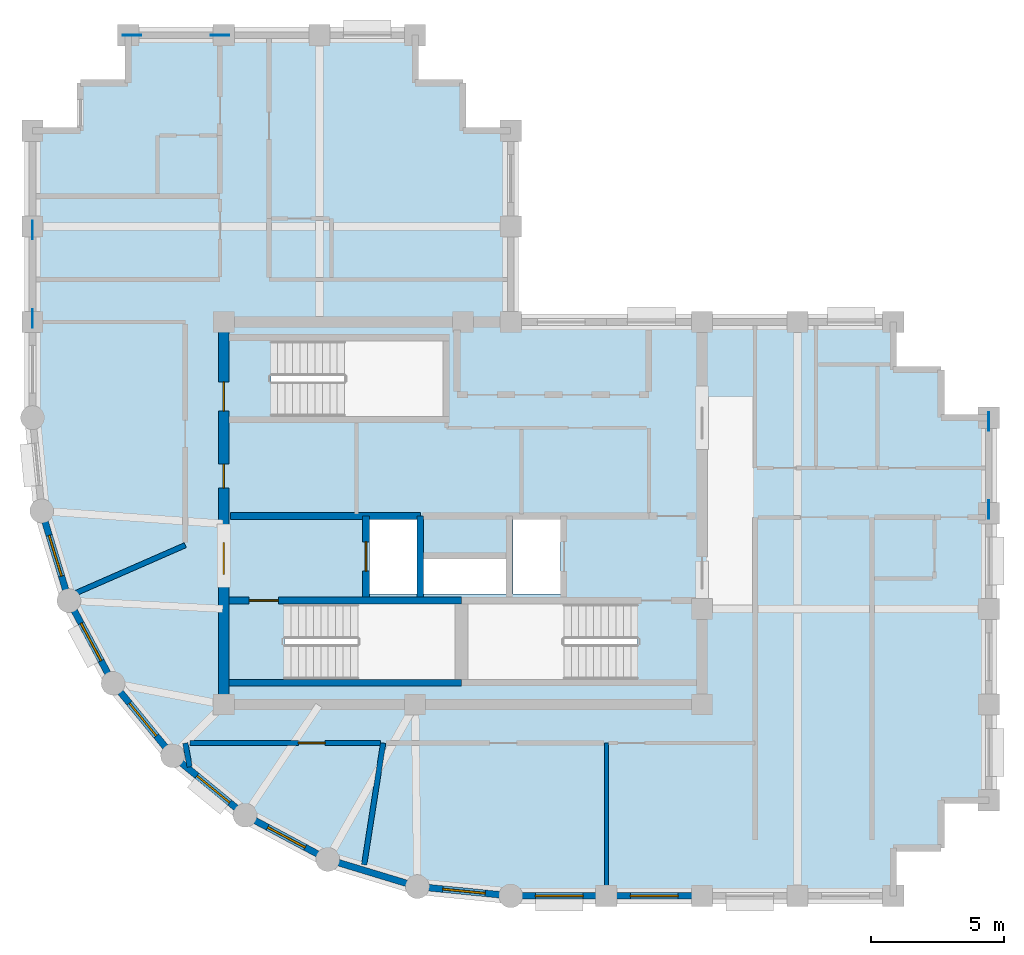
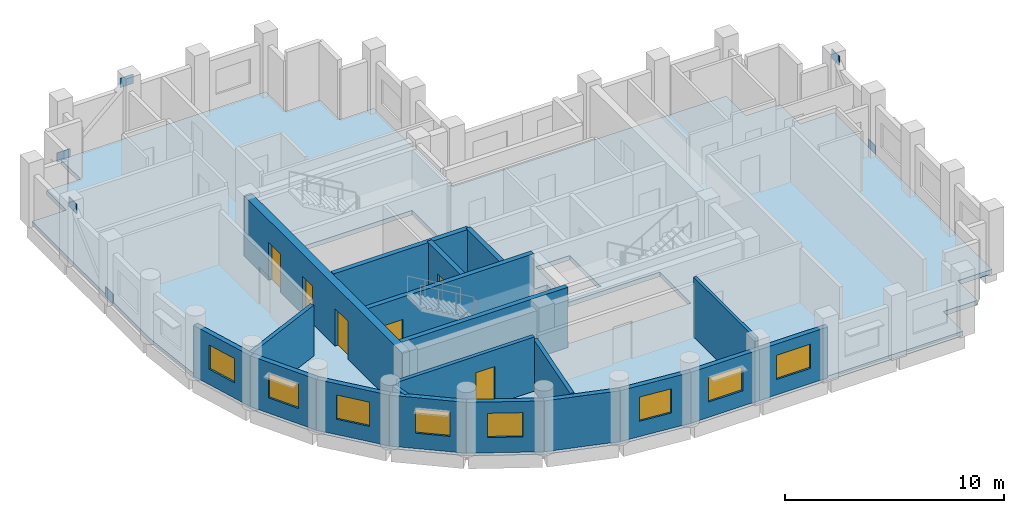
# One storey, part 2 of 7: 20 walls, 8 windows, 6 doors, 6 plates, 1 slab, 14 openings.
"""IFC4 building model written with IfcOpenShell, lengths in metres."""

from ifc_helpers import new_model, si_unit, direction, frame, frame_2d, origin, origin_2d, place, context, subcontext, project, spatial, polyline, rectangle, outline, extrude, material, layer, layer_set, type_object, element, fill, save


model = new_model("IFC4")

# Units and contexts
model_context = context("Model", 3, precision=1e-05, world=origin(), true_north=direction((0.0, 1.0)))
body_context = subcontext(model_context, "Body", "Model", "MODEL_VIEW")
ifc_project = project(units=[si_unit("LENGTHUNIT", "METRE"), si_unit("AREAUNIT", "SQUARE_METRE"), si_unit("VOLUMEUNIT", "CUBIC_METRE"), si_unit("PLANEANGLEUNIT", "RADIAN"), si_unit("MASSUNIT", "GRAM", prefix="KILO")], contexts=[model_context])

# Site, building, storey
site_placement = place(None, origin())
site = spatial("IfcSite", under=ifc_project, at=site_placement, CompositionType="ELEMENT")
building_placement = place(site_placement, origin())
building = spatial("IfcBuilding", under=site, at=building_placement, Name="Solnavia Interchange Tower", CompositionType="ELEMENT")
storey_placement = place(building_placement, frame((0.0, 0.0, 242.60009765625)))
storey = spatial("IfcBuildingStorey", under=building, at=storey_placement, Name="L61", CompositionType="ELEMENT", Elevation=242.60009765625)

# Plates
ifc_material_1 = material(Name="Steel S460", Category="steel")
ifc_layer_1 = layer(ifc_material_1, 0.030029296875)
ifc_layer_set_1 = layer_set([ifc_layer_1], Name="Steel S460")
plate_type = type_object("IfcPlateType", Name="Plate-Gusset-700x520x30", PredefinedType="USERDEFINED", material=ifc_layer_set_1)
for number, where, z_axis, x_axis, name in (
    (1, (7.199951171875, 25.340087890625, -0.080078125), (0.0, 0.0, 1.0), (0.0, 1.0, 0.0), "PLT-L61-GP01 Perimeter brace gusset plate"),
    (2, (7.199951171875, 28.659912109375, 2.909912109375), (0.0, 0.0, 1.0), (0.0, 1.0, 0.0), "PLT-L61-GP02 Perimeter brace gusset plate"),
    (3, (43.199951171875, 18.139892578125, -0.080078125), (0.0, 0.0, 1.0), (0.0, 1.0, 0.0), "PLT-L61-GP03 Perimeter brace gusset plate"),
    (4, (43.199951171875, 21.4599609375, 2.909912109375), (0.0, 0.0, 1.0), (0.0, 1.0, 0.0), "PLT-L61-GP04 Perimeter brace gusset plate"),
    (5, (10.93994140625, 36.0, -0.080078125), (0.0, 0.0, 1.0), (1.0, 0.0, 0.0), "PLT-L61-GP05 Perimeter brace gusset plate"),
    (6, (14.260009765625, 36.0, 2.909912109375), (0.0, 0.0, 1.0), (1.0, 0.0, 0.0), "PLT-L61-GP06 Perimeter brace gusset plate"),
):
    element("IfcPlate", number, at=place(storey_placement, frame(where, z_axis=z_axis, x_axis=x_axis)), inside=storey, type_object=plate_type, Name=name, ObjectType="GUSSET PLATE", PredefinedType="USERDEFINED", context=body_context, shape_type="SweptSolid", body=[
        extrude(rectangle(XDim=0.699951171875, YDim=0.030029296875, at=origin_2d()), origin(), (0.0, 0.0, 1.0), 0.52001953125),
    ])

# Slab
ifc_material_2 = material(Name="Concrete C40/50", Category="concrete")
ifc_layer_2 = layer(ifc_material_2, 0.25)
ifc_layer_set_2 = layer_set([ifc_layer_2], Name="Concrete C40/50")
slab_type = type_object("IfcSlabType", Name="Slab-Tower-250", PredefinedType="FLOOR", material=ifc_layer_set_2)
slab_placement = place(storey_placement, frame((0.0, 0.0, -0.25)))
element("IfcSlab", 7, at=slab_placement, inside=storey, type_object=slab_type, Name="SLB-L61-01 Structural floor slab", PredefinedType="FLOOR", context=body_context, shape_type="SweptSolid", body=[
    extrude(outline(polyline([(25.199951171875, 3.60009765625), (39.60009765625, 3.60009765625), (39.60009765625, 5.39990234375), (41.39990234375, 5.39990234375), (41.39990234375, 7.199951171875), (43.199951171875, 7.199951171875), (43.199951171875, 21.60009765625), (41.39990234375, 21.60009765625), (41.39990234375, 23.39990234375), (39.60009765625, 23.39990234375), (39.60009765625, 25.199951171875), (25.199951171875, 25.199951171875), (25.199951171875, 32.39990234375), (23.39990234375, 32.39990234375), (23.39990234375, 34.199951171875), (21.60009765625, 34.199951171875), (21.60009765625, 36.0), (10.800048828125, 36.0), (10.800048828125, 34.199951171875), (9.0, 34.199951171875), (9.0, 32.39990234375), (7.199951171875, 32.39990234375), (7.199951171875, 21.60009765625), (7.5458984375, 18.087890625), (8.570068359375, 14.7119140625), (10.23388671875, 11.60009765625), (12.471923828125, 8.8720703125), (15.199951171875, 6.634033203125), (18.31201171875, 4.969970703125), (21.68798828125, 3.946044921875), (25.199951171875, 3.60009765625)]), holes=[polyline([(16.675048828125, 11.75), (23.10009765625, 11.75), (23.10009765625, 14.590087890625), (16.675048828125, 14.590087890625), (16.675048828125, 11.75)]), polyline([(23.60009765625, 11.75), (29.97509765625, 11.75), (29.97509765625, 14.590087890625), (23.60009765625, 14.590087890625), (23.60009765625, 11.75)]), polyline([(16.175048828125, 21.64990234375), (22.64990234375, 21.64990234375), (22.64990234375, 24.489990234375), (16.175048828125, 24.489990234375), (16.175048828125, 21.64990234375)]), polyline([(19.8798828125, 14.9599609375), (21.679931640625, 14.9599609375), (21.679931640625, 17.780029296875), (19.8798828125, 17.780029296875), (19.8798828125, 14.9599609375)]), polyline([(25.280029296875, 14.9599609375), (27.080078125, 14.9599609375), (27.080078125, 17.780029296875), (25.280029296875, 17.780029296875), (25.280029296875, 14.9599609375)]), polyline([(21.919921875, 14.9599609375), (25.02001953125, 14.9599609375), (25.02001953125, 16.280029296875), (21.919921875, 16.280029296875), (21.919921875, 14.9599609375)])]), origin(), (0.0, 0.0, 1.0), 0.25),
])

# Walls
ifc_material_3 = material(Name="Gypsum Acoustic Twin-Stud & Mineral Wool", Category="gypsum")
ifc_layer_3 = layer(ifc_material_3, 0.199951171875)
ifc_layer_set_3 = layer_set([ifc_layer_3], Name="Gypsum Acoustic Twin-Stud & Mineral Wool")
wall_type_1 = type_object("IfcWallType", Name="Wall-ApartmentParty-200", PredefinedType="PARTITIONING", material=ifc_layer_set_3)
wall_1_placement = place(storey_placement, frame((12.949951171875, 16.800048828125, 0.0), z_axis=(0.0, 0.0, 1.0), x_axis=(-0.916090997314, -0.400970428635, 0.0)))
element("IfcWall", 8, at=wall_1_placement, inside=storey, type_object=wall_type_1, Name="PTW-L61-09 Interior partition wall", PredefinedType="PARTITIONING", context=body_context, shape_type="SweptSolid", body=[
    extrude(rectangle(XDim=4.73095703125, YDim=0.199951171875, at=frame_2d((2.365478515625, 0.0))), origin(), (0.0, 0.0, 1.0), 2.829833984375),
])
wall_2_placement = place(storey_placement, frame((12.949951171875, 9.35009765625, 0.0), z_axis=(0.0, 0.0, 1.0), x_axis=(0.179827308786, -0.983698195086, 0.0)))
element("IfcWall", 9, at=wall_2_placement, inside=storey, type_object=wall_type_1, Name="PTW-L61-10 Interior partition wall", PredefinedType="PARTITIONING", context=body_context, shape_type="SweptSolid", body=[
    extrude(rectangle(XDim=0.912353515625, YDim=0.199951171875, at=frame_2d((0.4560546875, 0.0))), origin(), (0.0, 0.0, 1.0), 2.829833984375),
])
wall_3_placement = place(storey_placement, frame((20.39990234375, 9.35009765625, 0.0), z_axis=(0.0, 0.0, 1.0), x_axis=(-0.154564772307, -0.987982657318, 0.0)))
element("IfcWall", 10, at=wall_3_placement, inside=storey, type_object=wall_type_1, Name="PTW-L61-11 Interior partition wall", PredefinedType="PARTITIONING", context=body_context, shape_type="SweptSolid", body=[
    extrude(rectangle(XDim=4.637451171875, YDim=0.199951171875, at=frame_2d((2.31884765625, 0.0))), origin(), (0.0, 0.0, 1.0), 2.829833984375),
])

# Wall, opening, door
wall_4_placement = place(storey_placement, frame((13.133056640625, 9.35009765625, 0.0), z_axis=(0.0, 0.0, 1.0), x_axis=(1.0, 0.0, 0.0)))
wall_4 = element("IfcWall", 11, at=wall_4_placement, inside=storey, type_object=wall_type_1, Name="PTW-L61-14 Interior partition wall", PredefinedType="PARTITIONING", context=body_context, shape_type="SweptSolid", body=[
    extrude(rectangle(XDim=7.162841796875, YDim=0.199951171875, at=frame_2d((3.58154296875, 0.0))), origin(), (0.0, 0.0, 1.0), 3.02001953125),
])
opening_1_placement = place(wall_4_placement, frame((4.077880859375, 0.0, 0.0)))
opening_1 = element("IfcOpeningElement", 12, at=opening_1_placement, cuts=wall_4, Name="Opening DR-07", PredefinedType="OPENING", context=body_context, shape_type="SweptSolid", body=[
    extrude(rectangle(XDim=1.0, YDim=2.10009765625, at=frame_2d((0.5, 1.050048828125))), frame((0.0, 0.10986328125, 0.0), z_axis=(0.0, -1.0, 0.0), x_axis=(1.0, 0.0, 0.0)), (0.0, 0.0, 1.0), 0.219970703125),
])
ifc_material_4 = material(Name="Timber & Acoustic Glazed Office Door", Category="wood")
door_type_1 = type_object("IfcDoorType", Name="Door-Office-1000x2100", OperationType="SINGLE_SWING_RIGHT", PredefinedType="DOOR", material=ifc_material_4)
door_1_placement = place(opening_1_placement, origin())
door_1 = element("IfcDoor", 13, at=door_1_placement, inside=storey, type_object=door_type_1, Name="DR-L61-05 Interior room door", OperationType="SINGLE_SWING_LEFT", OverallHeight=2.10009765625, OverallWidth=1.0, PredefinedType="DOOR", context=body_context, shape_type="SweptSolid", body=[
    extrude(rectangle(XDim=1.0, YDim=2.10009765625, at=frame_2d((0.5, 1.050048828125))), frame((0.0, 0.02490234375, 0.0), z_axis=(0.0, -1.0, 0.0), x_axis=(1.0, 0.0, 0.0)), (0.0, 0.0, 1.0), 0.050048828125),
])
fill(opening_1, door_1)

# Wall, opening, window
ifc_layer_4 = layer(ifc_material_2, 0.25)
ifc_layer_set_4 = layer_set([ifc_layer_4], Name="Concrete C40/50")
wall_type_2 = type_object("IfcWallType", Name="Wall-ExtSpandrel-250", PredefinedType="STANDARD", material=ifc_layer_set_4)
wall_5_placement = place(storey_placement, frame((28.800048828125, 3.60009765625, 0.0), z_axis=(0.0, 0.0, 1.0), x_axis=(-1.0, 0.0, 0.0)))
wall_5 = element("IfcWall", 14, at=wall_5_placement, inside=storey, type_object=wall_type_2, Name="EXW-L61-01 Exterior precast spandrel wall", PredefinedType="STANDARD", context=body_context, shape_type="SweptSolid", body=[
    extrude(rectangle(XDim=3.60009765625, YDim=0.25, at=frame_2d((1.800048828125, 0.0))), origin(), (0.0, 0.0, 1.0), 2.829833984375),
])
opening_2_placement = place(wall_5_placement, frame((0.875, 0.0, 0.85009765625)))
opening_2 = element("IfcOpeningElement", 15, at=opening_2_placement, cuts=wall_5, Name="Opening WIN-02", PredefinedType="OPENING", context=body_context, shape_type="SweptSolid", body=[
    extrude(rectangle(XDim=1.800048828125, YDim=1.35009765625, at=frame_2d((0.89990234375, 0.675048828125))), frame((0.0, 0.135009765625, 0.0), z_axis=(0.0, -1.0, 0.0), x_axis=(1.0, 0.0, 0.0)), (0.0, 0.0, 1.0), 0.27001953125),
])
ifc_material_5 = material(Name="Thermal-Break Aluminium & Low-E Glass", Category="aluminium")
window_type_1 = type_object("IfcWindowType", Name="Window-Ribbon-1800x1350", PartitioningType="SINGLE_PANEL", PredefinedType="WINDOW", material=ifc_material_5)
window_1_placement = place(opening_2_placement, origin())
window_1 = element("IfcWindow", 16, at=window_1_placement, inside=storey, type_object=window_type_1, Name="WIN-L61-01 Facade ribbon window", OverallHeight=1.35009765625, OverallWidth=1.800048828125, PartitioningType="SINGLE_PANEL", PredefinedType="WINDOW", context=body_context, shape_type="SweptSolid", body=[
    extrude(rectangle(XDim=1.800048828125, YDim=1.35009765625, at=frame_2d((0.89990234375, 0.675048828125))), frame((0.0, 0.030029296875, 0.0), z_axis=(0.0, -1.0, 0.0), x_axis=(1.0, 0.0, 0.0)), (0.0, 0.0, 1.0), 0.06005859375),
])
fill(opening_2, window_1)

wall_6_placement = place(storey_placement, frame((32.39990234375, 3.60009765625, 0.0), z_axis=(0.0, 0.0, 1.0), x_axis=(-1.0, 0.0, 0.0)))
wall_6 = element("IfcWall", 17, at=wall_6_placement, inside=storey, type_object=wall_type_2, Name="EXW-L61-02 Exterior precast spandrel wall", PredefinedType="STANDARD", context=body_context, shape_type="SweptSolid", body=[
    extrude(rectangle(XDim=3.599853515625, YDim=0.25, at=frame_2d((1.7998046875, 0.0))), origin(), (0.0, 0.0, 1.0), 2.829833984375),
])
opening_3_placement = place(wall_6_placement, frame((0.89990234375, 0.0, 0.85009765625)))
opening_3 = element("IfcOpeningElement", 18, at=opening_3_placement, cuts=wall_6, Name="Opening WIN-02", PredefinedType="OPENING", context=body_context, shape_type="SweptSolid", body=[
    extrude(rectangle(XDim=1.800048828125, YDim=1.35009765625, at=frame_2d((0.89990234375, 0.675048828125))), frame((0.0, 0.135009765625, 0.0), z_axis=(0.0, -1.0, 0.0), x_axis=(1.0, 0.0, 0.0)), (0.0, 0.0, 1.0), 0.27001953125),
])
window_2_placement = place(opening_3_placement, origin())
window_2 = element("IfcWindow", 19, at=window_2_placement, inside=storey, type_object=window_type_1, Name="WIN-L61-02 Facade ribbon window", OverallHeight=1.35009765625, OverallWidth=1.800048828125, PartitioningType="SINGLE_PANEL", PredefinedType="WINDOW", context=body_context, shape_type="SweptSolid", body=[
    extrude(rectangle(XDim=1.800048828125, YDim=1.35009765625, at=frame_2d((0.89990234375, 0.675048828125))), frame((0.0, 0.030029296875, 0.0), z_axis=(0.0, -1.0, 0.0), x_axis=(1.0, 0.0, 0.0)), (0.0, 0.0, 1.0), 0.06005859375),
])
fill(opening_3, window_2)

wall_7_placement = place(storey_placement, frame((8.570068359375, 14.7119140625, 0.0), z_axis=(0.0, 0.0, 1.0), x_axis=(-0.290305086481, 0.956934144423, 0.0)))
wall_7 = element("IfcWall", 20, at=wall_7_placement, inside=storey, type_object=wall_type_2, Name="EXW-L61-38 Exterior precast spandrel wall", PredefinedType="STANDARD", context=body_context, shape_type="SweptSolid", body=[
    extrude(rectangle(XDim=3.52783203125, YDim=0.25, at=frame_2d((1.763916015625, 0.0))), origin(), (0.0, 0.0, 1.0), 2.829833984375),
])
opening_4_placement = place(wall_7_placement, frame((0.964111328125, 0.0, 0.85009765625)))
opening_4 = element("IfcOpeningElement", 21, at=opening_4_placement, cuts=wall_7, Name="Opening WIN-04", PredefinedType="OPENING", context=body_context, shape_type="SweptSolid", body=[
    extrude(rectangle(XDim=1.60009765625, YDim=1.35009765625, at=frame_2d((0.800048828125, 0.675048828125))), frame((0.0, 0.135009765625, 0.0), z_axis=(0.0, -1.0, 0.0), x_axis=(1.0, 0.0, 0.0)), (0.0, 0.0, 1.0), 0.27001953125),
])
window_type_2 = type_object("IfcWindowType", Name="Window-Drum-1600x1350", PartitioningType="SINGLE_PANEL", PredefinedType="WINDOW", material=ifc_material_5)
window_3_placement = place(opening_4_placement, origin())
window_3 = element("IfcWindow", 22, at=window_3_placement, inside=storey, type_object=window_type_2, Name="WIN-L61-38 Facade ribbon window", OverallHeight=1.35009765625, OverallWidth=1.60009765625, PartitioningType="SINGLE_PANEL", PredefinedType="WINDOW", context=body_context, shape_type="SweptSolid", body=[
    extrude(rectangle(XDim=1.60009765625, YDim=1.35009765625, at=frame_2d((0.800048828125, 0.675048828125))), frame((0.0, 0.030029296875, 0.0), z_axis=(0.0, -1.0, 0.0), x_axis=(1.0, 0.0, 0.0)), (0.0, 0.0, 1.0), 0.06005859375),
])
fill(opening_4, window_3)

wall_8_placement = place(storey_placement, frame((10.23388671875, 11.60009765625, 0.0), z_axis=(0.0, 0.0, 1.0), x_axis=(-0.47151087309, 0.881860247748, 0.0)))
wall_8 = element("IfcWall", 23, at=wall_8_placement, inside=storey, type_object=wall_type_2, Name="EXW-L61-39 Exterior precast spandrel wall", PredefinedType="STANDARD", context=body_context, shape_type="SweptSolid", body=[
    extrude(rectangle(XDim=3.52880859375, YDim=0.25, at=frame_2d((1.764404296875, 0.0))), origin(), (0.0, 0.0, 1.0), 2.829833984375),
])
opening_5_placement = place(wall_8_placement, frame((0.964111328125, 0.0, 0.85009765625)))
opening_5 = element("IfcOpeningElement", 24, at=opening_5_placement, cuts=wall_8, Name="Opening WIN-04", PredefinedType="OPENING", context=body_context, shape_type="SweptSolid", body=[
    extrude(rectangle(XDim=1.60009765625, YDim=1.35009765625, at=frame_2d((0.800048828125, 0.675048828125))), frame((0.0, 0.135009765625, 0.0), z_axis=(0.0, -1.0, 0.0), x_axis=(1.0, 0.0, 0.0)), (0.0, 0.0, 1.0), 0.27001953125),
])
window_4_placement = place(opening_5_placement, origin())
window_4 = element("IfcWindow", 25, at=window_4_placement, inside=storey, type_object=window_type_2, Name="WIN-L61-39 Facade ribbon window", OverallHeight=1.35009765625, OverallWidth=1.60009765625, PartitioningType="SINGLE_PANEL", PredefinedType="WINDOW", context=body_context, shape_type="SweptSolid", body=[
    extrude(rectangle(XDim=1.60009765625, YDim=1.35009765625, at=frame_2d((0.800048828125, 0.675048828125))), frame((0.0, 0.030029296875, 0.0), z_axis=(0.0, -1.0, 0.0), x_axis=(1.0, 0.0, 0.0)), (0.0, 0.0, 1.0), 0.06005859375),
])
fill(opening_5, window_4)

wall_9_placement = place(storey_placement, frame((12.471923828125, 8.8720703125, 0.0), z_axis=(0.0, 0.0, 1.0), x_axis=(-0.634258295121, 0.773121216285, 0.0)))
wall_9 = element("IfcWall", 26, at=wall_9_placement, inside=storey, type_object=wall_type_2, Name="EXW-L61-40 Exterior precast spandrel wall", PredefinedType="STANDARD", context=body_context, shape_type="SweptSolid", body=[
    extrude(rectangle(XDim=3.528564453125, YDim=0.25, at=frame_2d((1.76416015625, 0.0))), origin(), (0.0, 0.0, 1.0), 2.829833984375),
])
opening_6_placement = place(wall_9_placement, frame((0.964111328125, 0.0, 0.85009765625)))
opening_6 = element("IfcOpeningElement", 27, at=opening_6_placement, cuts=wall_9, Name="Opening WIN-04", PredefinedType="OPENING", context=body_context, shape_type="SweptSolid", body=[
    extrude(rectangle(XDim=1.60009765625, YDim=1.35009765625, at=frame_2d((0.800048828125, 0.675048828125))), frame((0.0, 0.135009765625, 0.0), z_axis=(0.0, -1.0, 0.0), x_axis=(1.0, 0.0, 0.0)), (0.0, 0.0, 1.0), 0.27001953125),
])
window_5_placement = place(opening_6_placement, origin())
window_5 = element("IfcWindow", 28, at=window_5_placement, inside=storey, type_object=window_type_2, Name="WIN-L61-40 Facade ribbon window", OverallHeight=1.35009765625, OverallWidth=1.60009765625, PartitioningType="SINGLE_PANEL", PredefinedType="WINDOW", context=body_context, shape_type="SweptSolid", body=[
    extrude(rectangle(XDim=1.60009765625, YDim=1.35009765625, at=frame_2d((0.800048828125, 0.675048828125))), frame((0.0, 0.030029296875, 0.0), z_axis=(0.0, -1.0, 0.0), x_axis=(1.0, 0.0, 0.0)), (0.0, 0.0, 1.0), 0.06005859375),
])
fill(opening_6, window_5)

wall_10_placement = place(storey_placement, frame((15.199951171875, 6.634033203125, 0.0), z_axis=(0.0, 0.0, 1.0), x_axis=(-0.773121216285, 0.634258295121, 0.0)))
wall_10 = element("IfcWall", 29, at=wall_10_placement, inside=storey, type_object=wall_type_2, Name="EXW-L61-41 Exterior precast spandrel wall", PredefinedType="STANDARD", context=body_context, shape_type="SweptSolid", body=[
    extrude(rectangle(XDim=3.528564453125, YDim=0.25, at=frame_2d((1.76416015625, 0.0))), origin(), (0.0, 0.0, 1.0), 2.829833984375),
])
opening_7_placement = place(wall_10_placement, frame((0.743896484375, 0.0, 0.85009765625)))
opening_7 = element("IfcOpeningElement", 30, at=opening_7_placement, cuts=wall_10, Name="Opening WIN-04", PredefinedType="OPENING", context=body_context, shape_type="SweptSolid", body=[
    extrude(rectangle(XDim=1.60009765625, YDim=1.35009765625, at=frame_2d((0.800048828125, 0.675048828125))), frame((0.0, 0.135009765625, 0.0), z_axis=(0.0, -1.0, 0.0), x_axis=(1.0, 0.0, 0.0)), (0.0, 0.0, 1.0), 0.27001953125),
])
window_6_placement = place(opening_7_placement, origin())
window_6 = element("IfcWindow", 31, at=window_6_placement, inside=storey, type_object=window_type_2, Name="WIN-L61-41 Facade ribbon window", OverallHeight=1.35009765625, OverallWidth=1.60009765625, PartitioningType="SINGLE_PANEL", PredefinedType="WINDOW", context=body_context, shape_type="SweptSolid", body=[
    extrude(rectangle(XDim=1.60009765625, YDim=1.35009765625, at=frame_2d((0.800048828125, 0.675048828125))), frame((0.0, 0.030029296875, 0.0), z_axis=(0.0, -1.0, 0.0), x_axis=(1.0, 0.0, 0.0)), (0.0, 0.0, 1.0), 0.06005859375),
])
fill(opening_7, window_6)

wall_11_placement = place(storey_placement, frame((18.31201171875, 4.969970703125, 0.0), z_axis=(0.0, 0.0, 1.0), x_axis=(-0.881846862014, 0.471535907389, 0.0)))
wall_11 = element("IfcWall", 32, at=wall_11_placement, inside=storey, type_object=wall_type_2, Name="EXW-L61-42 Exterior precast spandrel wall", PredefinedType="STANDARD", context=body_context, shape_type="SweptSolid", body=[
    extrude(rectangle(XDim=3.529052734375, YDim=0.25, at=frame_2d((1.7646484375, 0.0))), origin(), (0.0, 0.0, 1.0), 2.829833984375),
])
opening_8_placement = place(wall_11_placement, frame((0.964111328125, 0.0, 0.85009765625)))
opening_8 = element("IfcOpeningElement", 33, at=opening_8_placement, cuts=wall_11, Name="Opening WIN-04", PredefinedType="OPENING", context=body_context, shape_type="SweptSolid", body=[
    extrude(rectangle(XDim=1.60009765625, YDim=1.35009765625, at=frame_2d((0.800048828125, 0.675048828125))), frame((0.0, 0.135009765625, 0.0), z_axis=(0.0, -1.0, 0.0), x_axis=(1.0, 0.0, 0.0)), (0.0, 0.0, 1.0), 0.27001953125),
])
window_7_placement = place(opening_8_placement, origin())
window_7 = element("IfcWindow", 34, at=window_7_placement, inside=storey, type_object=window_type_2, Name="WIN-L61-42 Facade ribbon window", OverallHeight=1.35009765625, OverallWidth=1.60009765625, PartitioningType="SINGLE_PANEL", PredefinedType="WINDOW", context=body_context, shape_type="SweptSolid", body=[
    extrude(rectangle(XDim=1.60009765625, YDim=1.35009765625, at=frame_2d((0.800048828125, 0.675048828125))), frame((0.0, 0.030029296875, 0.0), z_axis=(0.0, -1.0, 0.0), x_axis=(1.0, 0.0, 0.0)), (0.0, 0.0, 1.0), 0.06005859375),
])
fill(opening_8, window_7)

# Wall
wall_12_placement = place(storey_placement, frame((21.68798828125, 3.946044921875, 0.0), z_axis=(0.0, 0.0, 1.0), x_axis=(-0.956953367403, 0.290241714123, 0.0)))
element("IfcWall", 35, at=wall_12_placement, inside=storey, type_object=wall_type_2, Name="EXW-L61-43 Exterior precast spandrel wall", PredefinedType="STANDARD", context=body_context, shape_type="SweptSolid", body=[
    extrude(rectangle(XDim=3.52783203125, YDim=0.25, at=frame_2d((1.763916015625, 0.0))), origin(), (0.0, 0.0, 1.0), 2.829833984375),
])

# Wall, opening, window
wall_13_placement = place(storey_placement, frame((25.199951171875, 3.60009765625, 0.0), z_axis=(0.0, 0.0, 1.0), x_axis=(-0.995183369056, 0.098030923459, 0.0)))
wall_13 = element("IfcWall", 36, at=wall_13_placement, inside=storey, type_object=wall_type_2, Name="EXW-L61-44 Exterior precast spandrel wall", PredefinedType="STANDARD", context=body_context, shape_type="SweptSolid", body=[
    extrude(rectangle(XDim=3.529052734375, YDim=0.25, at=frame_2d((1.7646484375, 0.0))), origin(), (0.0, 0.0, 1.0), 2.829833984375),
])
opening_9_placement = place(wall_13_placement, frame((0.965087890625, 0.0, 0.85009765625)))
opening_9 = element("IfcOpeningElement", 37, at=opening_9_placement, cuts=wall_13, Name="Opening WIN-04", PredefinedType="OPENING", context=body_context, shape_type="SweptSolid", body=[
    extrude(rectangle(XDim=1.60009765625, YDim=1.35009765625, at=frame_2d((0.800048828125, 0.675048828125))), frame((0.0, 0.135009765625, 0.0), z_axis=(0.0, -1.0, 0.0), x_axis=(1.0, 0.0, 0.0)), (0.0, 0.0, 1.0), 0.27001953125),
])
window_8_placement = place(opening_9_placement, origin())
window_8 = element("IfcWindow", 38, at=window_8_placement, inside=storey, type_object=window_type_2, Name="WIN-L61-44 Facade ribbon window", OverallHeight=1.35009765625, OverallWidth=1.60009765625, PartitioningType="SINGLE_PANEL", PredefinedType="WINDOW", context=body_context, shape_type="SweptSolid", body=[
    extrude(rectangle(XDim=1.60009765625, YDim=1.35009765625, at=frame_2d((0.800048828125, 0.675048828125))), frame((0.0, 0.030029296875, 0.0), z_axis=(0.0, -1.0, 0.0), x_axis=(1.0, 0.0, 0.0)), (0.0, 0.0, 1.0), 0.06005859375),
])
fill(opening_9, window_8)

# Walls
ifc_material_6 = material(Name="Gypsum Plasterboard & Steel Stud", Category="steel")
ifc_layer_5 = layer(ifc_material_6, 0.14990234375)
ifc_layer_set_5 = layer_set([ifc_layer_5], Name="Gypsum Plasterboard & Steel Stud")
wall_type_3 = type_object("IfcWallType", Name="Wall-Partition-150", PredefinedType="PARTITIONING", material=ifc_layer_set_5)
wall_14_placement = place(storey_placement, frame((28.800048828125, 9.35009765625, 0.0), z_axis=(0.0, 0.0, 1.0), x_axis=(0.0, -1.0, 0.0)))
element("IfcWall", 39, at=wall_14_placement, inside=storey, type_object=wall_type_3, Name="PTW-L61-08 Interior partition wall", PredefinedType="PARTITIONING", context=body_context, shape_type="SweptSolid", body=[
    extrude(rectangle(XDim=5.62109375, YDim=0.14990234375, at=frame_2d((2.810546875, 0.0))), origin(), (0.0, 0.0, 1.0), 3.3349609375),
])
ifc_layer_6 = layer(ifc_material_2, 0.25)
ifc_layer_set_6 = layer_set([ifc_layer_6], Name="Concrete C40/50")
wall_type_4 = type_object("IfcWallType", Name="Wall-ShaftCore-250", PredefinedType="SHEAR", material=ifc_layer_set_6)
wall_15_placement = place(storey_placement, frame((14.60009765625, 11.625, 0.0), z_axis=(0.0, 0.0, 1.0), x_axis=(1.0, 0.0, 0.0)))
element("IfcWall", 40, at=wall_15_placement, inside=storey, type_object=wall_type_4, Name="SHW-L61-ST1S Core shear wall", PredefinedType="SHEAR", context=body_context, shape_type="SweptSolid", body=[
    extrude(rectangle(XDim=8.75, YDim=0.25, at=frame_2d((4.375, 0.0))), origin(), (0.0, 0.0, 1.0), 3.349853515625),
])

# Wall, opening, door
wall_16_placement = place(storey_placement, frame((14.60009765625, 14.715087890625, 0.0), z_axis=(0.0, 0.0, 1.0), x_axis=(1.0, 0.0, 0.0)))
wall_16 = element("IfcWall", 41, at=wall_16_placement, inside=storey, type_object=wall_type_4, Name="SHW-L61-ST1N Core shear wall", PredefinedType="SHEAR", context=body_context, shape_type="SweptSolid", body=[
    extrude(rectangle(XDim=8.75, YDim=0.25, at=frame_2d((4.375, 0.0))), origin(), (0.0, 0.0, 1.0), 3.349853515625),
])
opening_10_placement = place(wall_16_placement, frame((0.7548828125, 0.0, 0.0)))
opening_10 = element("IfcOpeningElement", 42, at=opening_10_placement, cuts=wall_16, Name="Opening DR-01", PredefinedType="OPENING", context=body_context, shape_type="SweptSolid", body=[
    extrude(rectangle(XDim=1.10009765625, YDim=2.10009765625, at=frame_2d((0.550048828125, 1.050048828125))), frame((0.0, 0.135009765625, 0.0), z_axis=(0.0, -1.0, 0.0), x_axis=(1.0, 0.0, 0.0)), (0.0, 0.0, 1.0), 0.27001953125),
])
ifc_material_7 = material(Name="Steel Fire-Rated Leaf & Frame", Category="steel")
door_type_2 = type_object("IfcDoorType", Name="Door-StairFire-1100x2100", OperationType="SINGLE_SWING_LEFT", PredefinedType="DOOR", material=ifc_material_7)
door_2_placement = place(opening_10_placement, origin())
door_2 = element("IfcDoor", 43, at=door_2_placement, inside=storey, type_object=door_type_2, Name="DR-L61-ST1 Core fire door", OperationType="SINGLE_SWING_LEFT", OverallHeight=2.10009765625, OverallWidth=1.10009765625, PredefinedType="DOOR", context=body_context, shape_type="SweptSolid", body=[
    extrude(rectangle(XDim=1.10009765625, YDim=2.10009765625, at=frame_2d((0.550048828125, 1.050048828125))), frame((0.0, 0.02490234375, 0.0), z_axis=(0.0, -1.0, 0.0), x_axis=(1.0, 0.0, 0.0)), (0.0, 0.0, 1.0), 0.050048828125),
])
fill(opening_10, door_2)

# Wall
ifc_layer_7 = layer(ifc_material_2, 0.25)
ifc_layer_set_7 = layer_set([ifc_layer_7], Name="Concrete C40/50")
wall_type_5 = type_object("IfcWallType", Name="Wall-ShaftPart-250", PredefinedType="PARTITIONING", material=ifc_layer_set_7)
wall_17_placement = place(storey_placement, frame((14.64990234375, 17.89990234375, 0.0), z_axis=(0.0, 0.0, 1.0), x_axis=(1.0, 0.0, 0.0)))
element("IfcWall", 44, at=wall_17_placement, inside=storey, type_object=wall_type_5, Name="SHW-L61-FFLW-N Core shaft wall", PredefinedType="PARTITIONING", context=body_context, shape_type="SweptSolid", body=[
    extrude(rectangle(XDim=7.150146484375, YDim=0.25, at=frame_2d((3.5751953125, 0.0))), origin(), (0.0, 0.0, 1.0), 3.3349609375),
])

# Wall, opening, door
wall_18_placement = place(storey_placement, frame((19.75, 14.840087890625, 0.0), z_axis=(0.0, 0.0, 1.0), x_axis=(0.0, 1.0, 0.0)))
wall_18 = element("IfcWall", 45, at=wall_18_placement, inside=storey, type_object=wall_type_5, Name="SHW-L61-FFL1-W Core shaft wall", PredefinedType="PARTITIONING", context=body_context, shape_type="SweptSolid", body=[
    extrude(rectangle(XDim=3.059814453125, YDim=0.25, at=frame_2d((1.52978515625, 0.0))), origin(), (0.0, 0.0, 1.0), 3.3349609375),
])
opening_11_placement = place(wall_18_placement, frame((0.97998046875, 0.0, 0.0)))
opening_11 = element("IfcOpeningElement", 46, at=opening_11_placement, cuts=wall_18, Name="Opening LD-01", PredefinedType="OPENING", context=body_context, shape_type="SweptSolid", body=[
    extrude(rectangle(XDim=1.10009765625, YDim=2.10009765625, at=frame_2d((0.550048828125, 1.050048828125))), frame((0.0, 0.135009765625, 0.0), z_axis=(0.0, -1.0, 0.0), x_axis=(1.0, 0.0, 0.0)), (0.0, 0.0, 1.0), 0.27001953125),
])
ifc_material_8 = material(Name="Brushed Stainless Steel Sliding Door", Category="steel")
door_type_3 = type_object("IfcDoorType", Name="Door-LiftLanding-1100x2100", OperationType="SLIDING_TO_LEFT", PredefinedType="DOOR", material=ifc_material_8)
door_3_placement = place(opening_11_placement, origin())
door_3 = element("IfcDoor", 47, at=door_3_placement, inside=storey, type_object=door_type_3, Name="LD-L61-FFL1 Lift landing sliding door", OperationType="SLIDING_TO_LEFT", OverallHeight=2.10009765625, OverallWidth=1.10009765625, PredefinedType="DOOR", context=body_context, shape_type="SweptSolid", body=[
    extrude(rectangle(XDim=1.10009765625, YDim=2.10009765625, at=frame_2d((0.550048828125, 1.050048828125))), frame((0.0, 0.02490234375, 0.0), z_axis=(0.0, -1.0, 0.0), x_axis=(1.0, 0.0, 0.0)), (0.0, 0.0, 1.0), 0.050048828125),
])
fill(opening_11, door_3)

# Wall
wall_19_placement = place(storey_placement, frame((21.800048828125, 14.840087890625, 0.0), z_axis=(0.0, 0.0, 1.0), x_axis=(0.0, 1.0, 0.0)))
element("IfcWall", 48, at=wall_19_placement, inside=storey, type_object=wall_type_5, Name="SHW-L61-FFL1-E Core shaft wall", PredefinedType="PARTITIONING", context=body_context, shape_type="SweptSolid", body=[
    extrude(rectangle(XDim=3.059814453125, YDim=0.25, at=frame_2d((1.52978515625, 0.0))), origin(), (0.0, 0.0, 1.0), 3.3349609375),
])

# Wall, openings, doors
ifc_material_9 = material(Name="Concrete C50/60", Category="concrete")
ifc_layer_8 = layer(ifc_material_9, 0.39990234375)
ifc_layer_set_8 = layer_set([ifc_layer_8], Name="Concrete C50/60")
wall_type_6 = type_object("IfcWallType", Name="Wall-ShearCore-400", PredefinedType="SHEAR", material=ifc_layer_set_8)
wall_20_placement = place(storey_placement, frame((14.39990234375, 10.800048828125, 0.0), z_axis=(0.0, 0.0, 1.0), x_axis=(0.0, 1.0, 0.0)))
wall_20 = element("IfcWall", 49, at=wall_20_placement, inside=storey, type_object=wall_type_6, Name="CRW-L61-W Core shear wall", PredefinedType="SHEAR", context=body_context, shape_type="SweptSolid", body=[
    extrude(rectangle(XDim=14.39990234375, YDim=0.39990234375, at=frame_2d((7.199951171875, 0.0))), origin(), (0.0, 0.0, 1.0), 3.349853515625),
])
opening_12_placement = place(wall_20_placement, frame((11.050048828125, 0.0, 0.0)))
opening_12 = element("IfcOpeningElement", 50, at=opening_12_placement, cuts=wall_20, Name="Opening DR-01", PredefinedType="OPENING", context=body_context, shape_type="SweptSolid", body=[
    extrude(rectangle(XDim=1.10009765625, YDim=2.10009765625, at=frame_2d((0.550048828125, 1.050048828125))), frame((0.0, 0.2099609375, 0.0), z_axis=(0.0, -1.0, 0.0), x_axis=(1.0, 0.0, 0.0)), (0.0, 0.0, 1.0), 0.419921875),
])
opening_13_placement = place(wall_20_placement, frame((4.89990234375, 0.0, 0.0)))
opening_13 = element("IfcOpeningElement", 51, at=opening_13_placement, cuts=wall_20, Name="Opening DR-02", PredefinedType="OPENING", context=body_context, shape_type="SweptSolid", body=[
    extrude(rectangle(XDim=1.199951171875, YDim=2.10009765625, at=frame_2d((0.60009765625, 1.050048828125))), frame((0.0, 0.2099609375, 0.0), z_axis=(0.0, -1.0, 0.0), x_axis=(1.0, 0.0, 0.0)), (0.0, 0.0, 1.0), 0.419921875),
])
opening_14_placement = place(wall_20_placement, frame((8.14990234375, 0.0, 0.0)))
opening_14 = element("IfcOpeningElement", 52, at=opening_14_placement, cuts=wall_20, Name="Opening DR-09", PredefinedType="OPENING", context=body_context, shape_type="SweptSolid", body=[
    extrude(rectangle(XDim=0.89990234375, YDim=2.10009765625, at=frame_2d((0.449951171875, 1.050048828125))), frame((0.0, 0.2099609375, 0.0), z_axis=(0.0, -1.0, 0.0), x_axis=(1.0, 0.0, 0.0)), (0.0, 0.0, 1.0), 0.419921875),
])
ifc_material_10 = material(Name="Engineered Oak Veneer Door", Category="wood")
door_type_4 = type_object("IfcDoorType", Name="Door-Internal-900x2100", OperationType="SINGLE_SWING_LEFT", PredefinedType="DOOR", material=ifc_material_10)
door_4_placement = place(opening_14_placement, origin())
door_4 = element("IfcDoor", 53, at=door_4_placement, inside=storey, type_object=door_type_4, Name="DR-L61-CS1 Core fire door", OperationType="SINGLE_SWING_RIGHT", OverallHeight=2.10009765625, OverallWidth=0.89990234375, PredefinedType="DOOR", context=body_context, shape_type="SweptSolid", body=[
    extrude(rectangle(XDim=0.89990234375, YDim=2.10009765625, at=frame_2d((0.449951171875, 1.050048828125))), frame((0.0, 0.02490234375, 0.0), z_axis=(0.0, -1.0, 0.0), x_axis=(1.0, 0.0, 0.0)), (0.0, 0.0, 1.0), 0.050048828125),
])
fill(opening_14, door_4)
ifc_material_11 = material(Name="Steel Fire-Rated Vision-Panel Door", Category="steel")
door_type_5 = type_object("IfcDoorType", Name="Door-LobbyFire-1200x2100", OperationType="SINGLE_SWING_RIGHT", PredefinedType="DOOR", material=ifc_material_11)
door_5_placement = place(opening_13_placement, origin())
door_5 = element("IfcDoor", 54, at=door_5_placement, inside=storey, type_object=door_type_5, Name="DR-L61-FFL1W Core fire door", OperationType="SINGLE_SWING_RIGHT", OverallHeight=2.10009765625, OverallWidth=1.199951171875, PredefinedType="DOOR", context=body_context, shape_type="SweptSolid", body=[
    extrude(rectangle(XDim=1.199951171875, YDim=2.10009765625, at=frame_2d((0.60009765625, 1.050048828125))), frame((0.0, 0.02490234375, 0.0), z_axis=(0.0, -1.0, 0.0), x_axis=(1.0, 0.0, 0.0)), (0.0, 0.0, 1.0), 0.050048828125),
])
fill(opening_13, door_5)
door_6_placement = place(opening_12_placement, origin())
door_6 = element("IfcDoor", 55, at=door_6_placement, inside=storey, type_object=door_type_2, Name="DR-L61-ST3 Core fire door", OperationType="SINGLE_SWING_RIGHT", OverallHeight=2.10009765625, OverallWidth=1.10009765625, PredefinedType="DOOR", context=body_context, shape_type="SweptSolid", body=[
    extrude(rectangle(XDim=1.10009765625, YDim=2.10009765625, at=frame_2d((0.550048828125, 1.050048828125))), frame((0.0, 0.02490234375, 0.0), z_axis=(0.0, -1.0, 0.0), x_axis=(1.0, 0.0, 0.0)), (0.0, 0.0, 1.0), 0.050048828125),
])
fill(opening_12, door_6)

save(model, "model.ifc")
